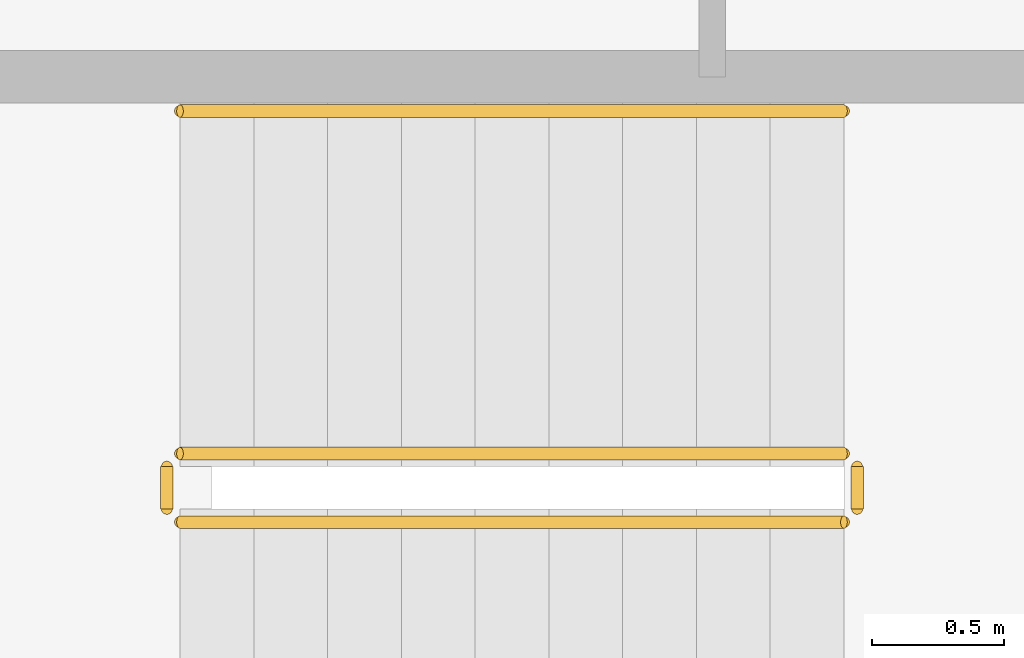
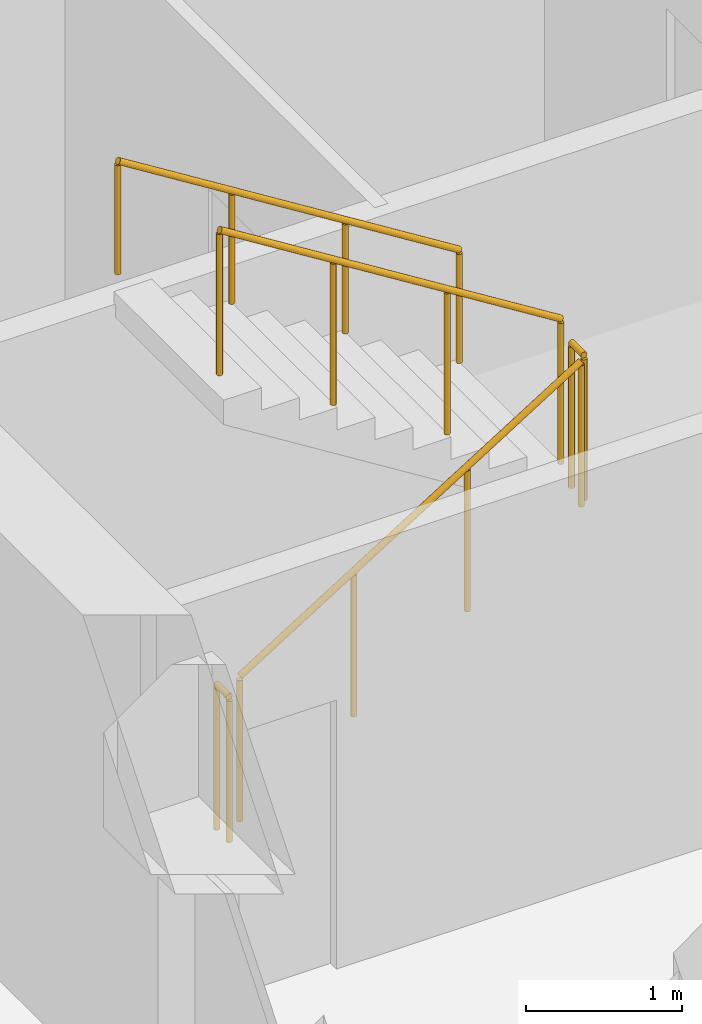
# One storey, part 37 of 39: 5 railings.
"""IFC4 building model written with IfcOpenShell, lengths in metres."""

from ifc_helpers import new_model, si_unit, direction, frame, origin, origin_2d, place, context, subcontext, project, spatial, circle, extrude, material, type_object, element, save


model = new_model("IFC4")

# Units and contexts
model_context = context("Model", 3, precision=1e-05, world=origin(), true_north=direction((0.0, 1.0)))
body_context = subcontext(model_context, "Body", "Model", "MODEL_VIEW")
ifc_project = project(units=[si_unit("LENGTHUNIT", "METRE"), si_unit("AREAUNIT", "SQUARE_METRE"), si_unit("VOLUMEUNIT", "CUBIC_METRE"), si_unit("PLANEANGLEUNIT", "RADIAN"), si_unit("MASSUNIT", "GRAM", prefix="KILO")], contexts=[model_context])

# Site, building, storey
site_placement = place(None, origin())
site = spatial("IfcSite", under=ifc_project, at=site_placement, CompositionType="ELEMENT")
building_placement = place(site_placement, origin())
building = spatial("IfcBuilding", under=site, at=building_placement, Name="Drelvath Grand Hotel", CompositionType="ELEMENT")
storey_placement = place(building_placement, frame((0.0, 0.0, 54.199951171875)))
storey = spatial("IfcBuildingStorey", under=building, at=storey_placement, Name="L12", CompositionType="ELEMENT", Elevation=54.199951171875)

# Railings
ifc_material = material(Name="Painted Steel S275", Category="steel")
railing_type_1 = type_object("IfcRailingType", Name="Core Stair Wall Handrail 900", PredefinedType="HANDRAIL", material=ifc_material)
railing_1_placement = place(storey_placement, frame((-4.080078125, 28.030029296875, 1.925048828125)))
element("IfcRailing", 1, at=railing_1_placement, inside=storey, type_object=railing_type_1, Name="L12 ST-1 stair handrail 2", PredefinedType="HANDRAIL", context=body_context, shape_type="SweptSolid", body=[
    extrude(circle(Radius=0.02392578125, at=origin_2d()), frame((0.0, 0.0, 0.8759765625), z_axis=(-0.848007534815, 0.0, 0.529984170421), x_axis=(0.0, -1.0, 0.0)), (0.0, 0.0, 1.0), 2.9716796875),
    extrude(circle(Radius=0.02099609375, at=origin_2d()), origin(), (0.0, 0.0, 1.0), 0.851806640625),
    extrude(circle(Radius=0.02099609375, at=origin_2d()), frame((-0.840087890625, 0.0, 0.52490234375)), (0.0, 0.0, 1.0), 0.851806640625),
    extrude(circle(Radius=0.02099609375, at=origin_2d()), frame((-1.679931640625, 0.0, 1.050048828125)), (0.0, 0.0, 1.0), 0.851806640625),
    extrude(circle(Radius=0.02099609375, at=origin_2d()), frame((-2.52001953125, 0.0, 1.574951171875)), (0.0, 0.0, 1.0), 0.851806640625),
])
railing_type_2 = type_object("IfcRailingType", Name="Core Stair Well Guardrail 1100", PredefinedType="GUARDRAIL", material=ifc_material)
railing_2_placement = place(storey_placement, frame((-6.60009765625, 26.469970703125, 0.175048828125)))
element("IfcRailing", 2, at=railing_2_placement, inside=storey, type_object=railing_type_2, Name="L12 ST-1 stair guard 1", PredefinedType="GUARDRAIL", context=body_context, shape_type="SweptSolid", body=[
    extrude(circle(Radius=0.02392578125, at=origin_2d()), frame((0.0, 0.0, 1.1259765625), z_axis=(0.848007534815, 0.0, 0.529984170421), x_axis=(0.0, 1.0, 0.0)), (0.0, 0.0, 1.0), 2.9716796875),
    extrude(circle(Radius=0.02099609375, at=origin_2d()), origin(), (0.0, 0.0, 1.0), 1.101806640625),
    extrude(circle(Radius=0.02099609375, at=origin_2d()), frame((0.840087890625, 0.0, 0.52490234375)), (0.0, 0.0, 1.0), 1.101806640625),
    extrude(circle(Radius=0.02099609375, at=origin_2d()), frame((1.679931640625, 0.0, 1.050048828125)), (0.0, 0.0, 1.0), 1.101806640625),
    extrude(circle(Radius=0.02099609375, at=origin_2d()), frame((2.52001953125, 0.0, 1.574951171875)), (0.0, 0.0, 1.0), 1.101806640625),
])
railing_3_placement = place(storey_placement, frame((-4.030029296875, 26.52001953125, 1.75)))
element("IfcRailing", 3, at=railing_3_placement, inside=storey, type_object=railing_type_2, Name="L12 ST-1 stair guard 2", PredefinedType="GUARDRAIL", context=body_context, shape_type="SweptSolid", body=[
    extrude(circle(Radius=0.02392578125, at=origin_2d()), frame((0.0, 0.0, 1.1259765625), z_axis=(0.0, 1.0, 0.0), x_axis=(-1.0, 0.0, 0.0)), (0.0, 0.0, 1.0), 0.159912109375),
    extrude(circle(Radius=0.02099609375, at=origin_2d()), origin(), (0.0, 0.0, 1.0), 1.101806640625),
    extrude(circle(Radius=0.02099609375, at=origin_2d()), frame((0.0, 0.159912109375, 0.0)), (0.0, 0.0, 1.0), 1.101806640625),
])
railing_4_placement = place(storey_placement, frame((-4.080078125, 26.72998046875, 1.925048828125)))
element("IfcRailing", 4, at=railing_4_placement, inside=storey, type_object=railing_type_2, Name="L12 ST-1 stair guard 3", PredefinedType="GUARDRAIL", context=body_context, shape_type="SweptSolid", body=[
    extrude(circle(Radius=0.02392578125, at=origin_2d()), frame((0.0, 0.0, 1.1259765625), z_axis=(-0.848007534815, 0.0, 0.529984170421), x_axis=(0.0, -1.0, 0.0)), (0.0, 0.0, 1.0), 2.9716796875),
    extrude(circle(Radius=0.02099609375, at=origin_2d()), origin(), (0.0, 0.0, 1.0), 1.101806640625),
    extrude(circle(Radius=0.02099609375, at=origin_2d()), frame((-0.840087890625, 0.0, 0.52490234375)), (0.0, 0.0, 1.0), 1.101806640625),
    extrude(circle(Radius=0.02099609375, at=origin_2d()), frame((-1.679931640625, 0.0, 1.050048828125)), (0.0, 0.0, 1.0), 1.101806640625),
    extrude(circle(Radius=0.02099609375, at=origin_2d()), frame((-2.52001953125, 0.0, 1.574951171875)), (0.0, 0.0, 1.0), 1.101806640625),
])
railing_5_placement = place(storey_placement, frame((-6.64990234375, 26.52001953125, 0.0)))
element("IfcRailing", 5, at=railing_5_placement, inside=storey, type_object=railing_type_2, Name="L12 ST-1 stair guard 4", PredefinedType="GUARDRAIL", context=body_context, shape_type="SweptSolid", body=[
    extrude(circle(Radius=0.02392578125, at=origin_2d()), frame((0.0, 0.0, 1.1259765625), z_axis=(0.0, 1.0, 0.0), x_axis=(-1.0, 0.0, 0.0)), (0.0, 0.0, 1.0), 0.159912109375),
    extrude(circle(Radius=0.02099609375, at=origin_2d()), origin(), (0.0, 0.0, 1.0), 1.101806640625),
    extrude(circle(Radius=0.02099609375, at=origin_2d()), frame((0.0, 0.159912109375, 0.0)), (0.0, 0.0, 1.0), 1.101806640625),
])

save(model, "model.ifc")
